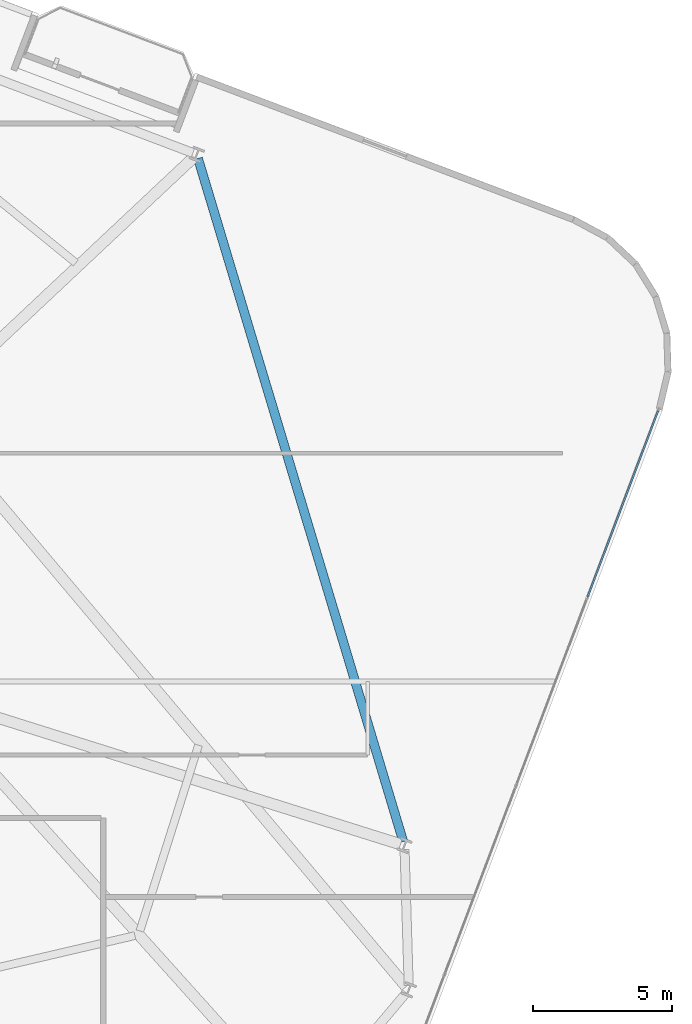
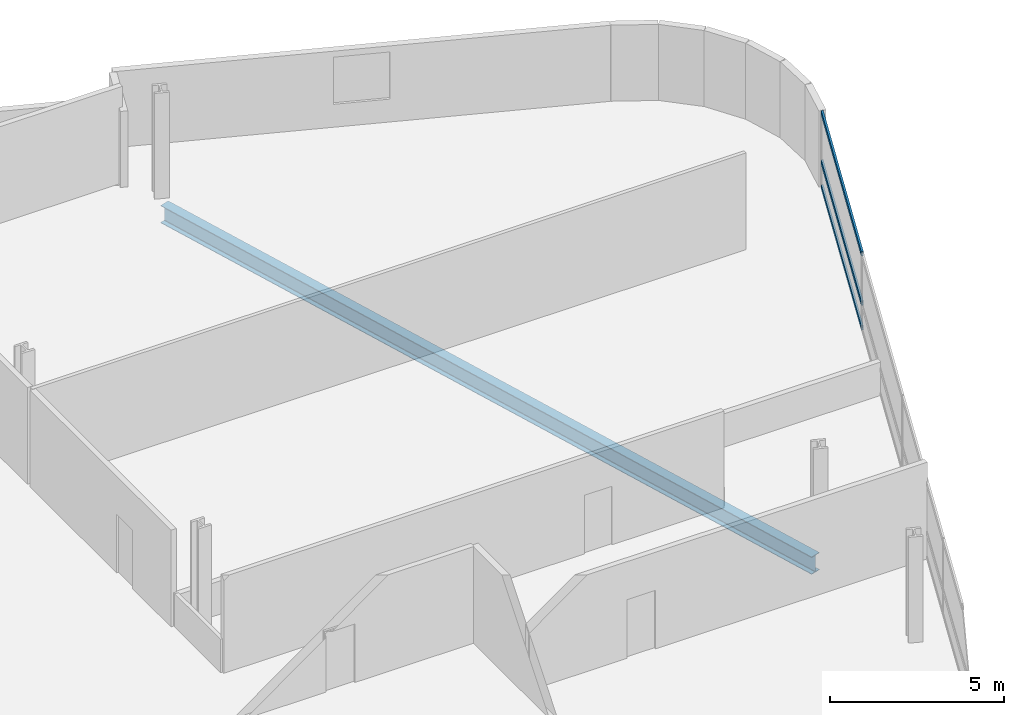
# One storey, part 15 of 25: 3 members, 1 beam, 1 element without a shape of its own.
"""IFC4 building model written with IfcOpenShell, lengths in metres."""

from ifc_helpers import new_model, si_unit, direction, frame, origin, origin_2d, place, context, subcontext, project, spatial, hollow_rectangle, i_section, extrude, material, layer, layer_set, material_profile, profile_set, type_object, element, aggregate, save


model = new_model("IFC4")

# Units and contexts
model_context = context("Model", 3, precision=1e-05, world=origin(), true_north=direction((0.0, 1.0)))
body_context = subcontext(model_context, "Body", "Model", "MODEL_VIEW")
ifc_project = project(units=[si_unit("LENGTHUNIT", "METRE"), si_unit("AREAUNIT", "SQUARE_METRE"), si_unit("VOLUMEUNIT", "CUBIC_METRE"), si_unit("PLANEANGLEUNIT", "RADIAN"), si_unit("MASSUNIT", "GRAM", prefix="KILO")], contexts=[model_context])

# Site, building, storey
site_placement = place(None, origin())
site = spatial("IfcSite", under=ifc_project, at=site_placement, CompositionType="ELEMENT")
building_placement = place(site_placement, origin())
building = spatial("IfcBuilding", under=site, at=building_placement, Name="Varnelok Gate Tower", CompositionType="ELEMENT")
storey_placement = place(building_placement, frame((0.0, 0.0, 113.199951171875)))
storey = spatial("IfcBuildingStorey", under=building, at=storey_placement, Name="L28", CompositionType="ELEMENT", Elevation=113.199951171875)

# Beam
ifc_material_1 = material(Name="Structural Steel ASTM A992 Grade 50", Category="steel")
ifc_material_profile_1 = material_profile(ifc_material_1, i_section(OverallWidth=0.323974609375, OverallDepth=0.611083984375, WebThickness=0.0126953125, FlangeThickness=0.01904296875, FilletRadius=0.01806640625, at=origin_2d()), Name="W24X104")
ifc_profile_set_1 = profile_set([ifc_material_profile_1], Name="Structural Steel ASTM A992 Grade 50")
beam_type = type_object("IfcBeamType", Name="BM-SPN-W24X104", PredefinedType="SPANDREL", material=ifc_profile_set_1)
beam_placement = place(storey_placement, frame((71.27587890625, 13.497802734375, -0.555419921875), z_axis=(-0.287745549664, 0.957706896001, 0.0), x_axis=(-0.957706896001, -0.287745549664, 0.0)))
element("IfcBeam", 1, at=beam_placement, inside=storey, type_object=beam_type, Name="L28 Perimeter Spandrel Beam 8", PredefinedType="SPANDREL", context=body_context, shape_type="SweptSolid", body=[
    extrude(i_section(OverallWidth=0.323974609375, OverallDepth=0.611083984375, WebThickness=0.0126953125, FlangeThickness=0.01904296875, FilletRadius=0.01806640625, at=origin_2d()), origin(), (0.0, 0.0, 1.0), 25.6259765625),
])

# Curtain wall, members
ifc_material_2 = material(Name="Anodized Aluminum Alloy 6063-T6", Category="aluminium")
ifc_layer = layer(ifc_material_2, 0.179931640625)
ifc_layer_set = layer_set([ifc_layer], Name="Anodized Aluminum Alloy 6063-T6")
curtain_wall_type = type_object("IfcCurtainWallType", Name="CW3-HOTEL-VISION", PredefinedType="USERDEFINED", material=ifc_layer_set)
curtain_wall_placement = place(storey_placement, origin())
curtain_wall = element("IfcCurtainWall", 2, at=curtain_wall_placement, inside=storey, type_object=curtain_wall_type, Name="L28 East End Vision Curtain Wall", ObjectType="UNITISED CURTAIN WALL", PredefinedType="USERDEFINED")
ifc_material_profile_2 = material_profile(ifc_material_2, hollow_rectangle(XDim=0.06494140625, YDim=0.159912109375, WallThickness=0.00390625, at=origin_2d()), Name="ALU160X65X4")
ifc_profile_set_2 = profile_set([ifc_material_profile_2], Name="Anodized Aluminum Alloy 6063-T6")
member_type = type_object("IfcMemberType", Name="CW-TRAN-160", PredefinedType="USERDEFINED", material=ifc_profile_set_2)
member_1_placement = place(storey_placement, frame((80.431884765625, 28.974365234375, 0.032470703125), z_axis=(-0.35404725046, -0.935227536187, 0.0), x_axis=(0.935227536187, -0.35404725046, 0.0)))
member_1 = element("IfcMember", 3, at=member_1_placement, type_object=member_type, Name="CW3 transom 1.1", ObjectType="TRANSOM", PredefinedType="USERDEFINED", context=body_context, shape_type="SweptSolid", body=[
    extrude(hollow_rectangle(XDim=0.06494140625, YDim=0.159912109375, WallThickness=0.00390625, at=origin_2d()), origin(), (0.0, 0.0, 1.0), 7.142578125),
])
member_2_placement = place(storey_placement, frame((80.431884765625, 28.974365234375, 0.900146484375), z_axis=(-0.35404725046, -0.935227536187, 0.0), x_axis=(0.935227536187, -0.35404725046, 0.0)))
member_2 = element("IfcMember", 4, at=member_2_placement, type_object=member_type, Name="CW3 transom 1.2", ObjectType="TRANSOM", PredefinedType="USERDEFINED", context=body_context, shape_type="SweptSolid", body=[
    extrude(hollow_rectangle(XDim=0.06494140625, YDim=0.159912109375, WallThickness=0.00390625, at=origin_2d()), origin(), (0.0, 0.0, 1.0), 7.142578125),
])
member_3_placement = place(storey_placement, frame((80.431884765625, 28.974365234375, 2.62744140625), z_axis=(-0.35404725046, -0.935227536187, 0.0), x_axis=(0.935227536187, -0.35404725046, 0.0)))
member_3 = element("IfcMember", 5, at=member_3_placement, type_object=member_type, Name="CW3 transom 1.3", ObjectType="TRANSOM", PredefinedType="USERDEFINED", context=body_context, shape_type="SweptSolid", body=[
    extrude(hollow_rectangle(XDim=0.06494140625, YDim=0.159912109375, WallThickness=0.00390625, at=origin_2d()), origin(), (0.0, 0.0, 1.0), 7.142578125),
])
aggregate(curtain_wall, [member_1, member_2, member_3])

save(model, "model.ifc")
